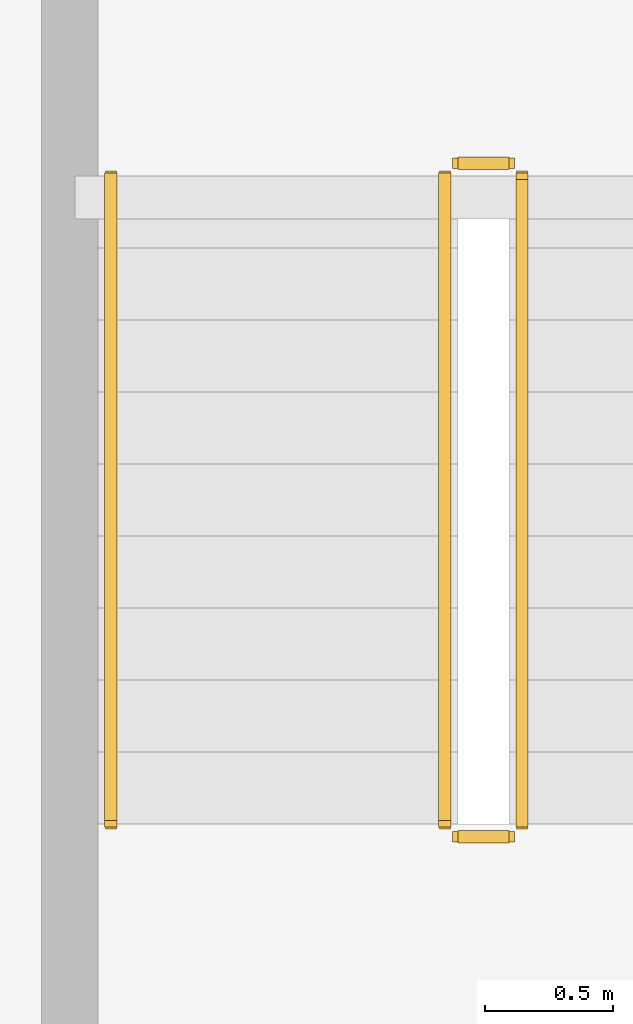
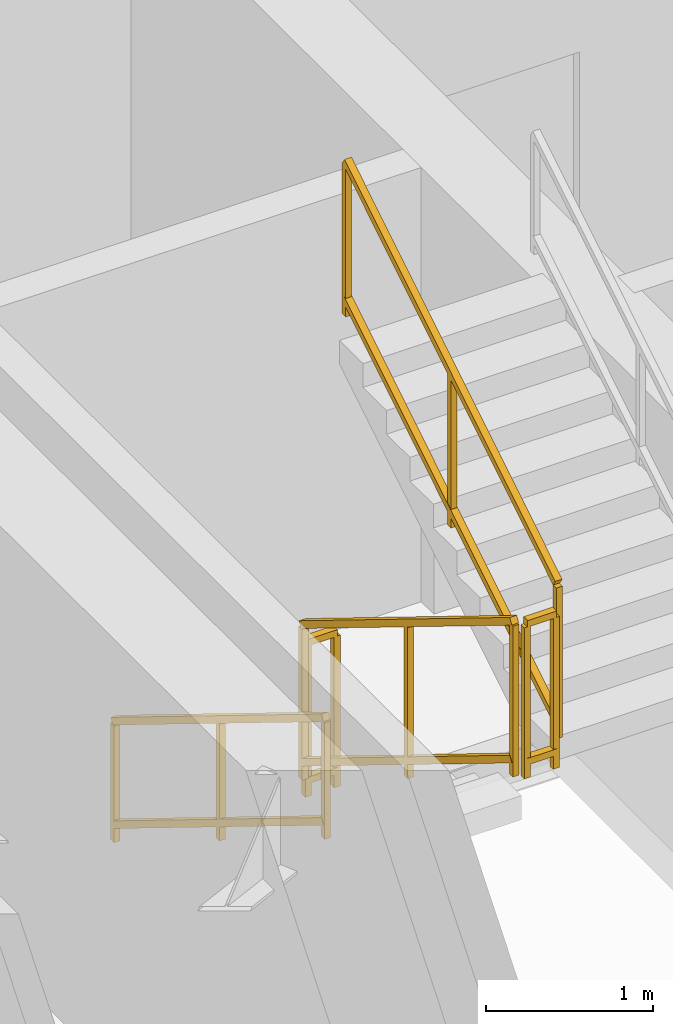
# One storey, part 28 of 30: 5 railings.
"""IFC4 building model written with IfcOpenShell, lengths in metres."""

from ifc_helpers import new_model, si_unit, direction, frame, origin, origin_2d, place, context, subcontext, project, spatial, rectangle, extrude, material, type_object, element, save


model = new_model("IFC4")

# Units and contexts
model_context = context("Model", 3, precision=1e-05, world=origin(), true_north=direction((0.0, 1.0)))
body_context = subcontext(model_context, "Body", "Model", "MODEL_VIEW")
ifc_project = project(units=[si_unit("LENGTHUNIT", "METRE"), si_unit("AREAUNIT", "SQUARE_METRE"), si_unit("VOLUMEUNIT", "CUBIC_METRE"), si_unit("PLANEANGLEUNIT", "RADIAN"), si_unit("MASSUNIT", "GRAM", prefix="KILO")], contexts=[model_context])

# Site, building, storey
site_placement = place(None, origin())
site = spatial("IfcSite", under=ifc_project, at=site_placement, CompositionType="ELEMENT")
building_placement = place(site_placement, origin())
building = spatial("IfcBuilding", under=site, at=building_placement, Name="Qarnah Convention Tower", CompositionType="ELEMENT")
storey_placement = place(building_placement, frame((0.0, 0.0, 93.60009765625)))
storey = spatial("IfcBuildingStorey", under=building, at=storey_placement, Name="L24", CompositionType="ELEMENT", Elevation=93.60009765625)

# Railings
ifc_material = material(Name="Structural steel S355JR", Category="steel")
railing_type_1 = type_object("IfcRailingType", Name="RL-STAIR-GUARD-1150", PredefinedType="GUARDRAIL", material=ifc_material)
railing_1_placement = place(storey_placement, frame((28.89990234375, 25.300048828125, 0.17236328125)))
element("IfcRailing", 1, at=railing_1_placement, inside=storey, type_object=railing_type_1, Name="L24 ST-1 stair guard 1", PredefinedType="GUARDRAIL", context=body_context, shape_type="SweptSolid", body=[
    extrude(rectangle(XDim=0.048095703125, YDim=0.048095703125, at=origin_2d()), frame((0.0, 0.0, 1.1259765625), z_axis=(0.0, -0.851400495292, 0.524516154772), x_axis=(1.0, 0.0, 0.0)), (0.0, 0.0, 1.0), 2.9599609375),
    extrude(rectangle(XDim=0.048095703125, YDim=0.048095703125, at=origin_2d()), frame((0.0, 0.0, 0.1201171875), z_axis=(0.0, -0.851400495292, 0.524516154772), x_axis=(1.0, 0.0, 0.0)), (0.0, 0.0, 1.0), 2.9599609375),
    extrude(rectangle(XDim=0.0419921875, YDim=0.0419921875, at=origin_2d()), origin(), (0.0, 0.0, 1.0), 1.101806640625),
    extrude(rectangle(XDim=0.0419921875, YDim=0.0419921875, at=origin_2d()), frame((0.0, -1.260009765625, 0.7763671875)), (0.0, 0.0, 1.0), 1.101806640625),
    extrude(rectangle(XDim=0.0419921875, YDim=0.0419921875, at=origin_2d()), frame((0.0, -2.52001953125, 1.552490234375)), (0.0, 0.0, 1.0), 1.101806640625),
])
railing_2_placement = place(storey_placement, frame((28.949951171875, 22.72998046875, 1.724853515625)))
element("IfcRailing", 2, at=railing_2_placement, inside=storey, type_object=railing_type_1, Name="L24 ST-1 stair guard 2", PredefinedType="GUARDRAIL", context=body_context, shape_type="SweptSolid", body=[
    extrude(rectangle(XDim=0.048095703125, YDim=0.048095703125, at=origin_2d()), frame((0.0, 0.0, 1.1259765625), z_axis=(1.0, 0.0, 0.0), x_axis=(0.0, 1.0, 0.0)), (0.0, 0.0, 1.0), 0.199951171875),
    extrude(rectangle(XDim=0.048095703125, YDim=0.048095703125, at=origin_2d()), frame((0.0, 0.0, 0.1201171875), z_axis=(1.0, 0.0, 0.0), x_axis=(0.0, 1.0, 0.0)), (0.0, 0.0, 1.0), 0.199951171875),
    extrude(rectangle(XDim=0.0419921875, YDim=0.0419921875, at=origin_2d()), origin(), (0.0, 0.0, 1.0), 1.101806640625),
    extrude(rectangle(XDim=0.0419921875, YDim=0.0419921875, at=origin_2d()), frame((0.199951171875, 0.0, 0.0)), (0.0, 0.0, 1.0), 1.101806640625),
])
railing_3_placement = place(storey_placement, frame((29.199951171875, 22.780029296875, 1.8974609375)))
element("IfcRailing", 3, at=railing_3_placement, inside=storey, type_object=railing_type_1, Name="L24 ST-1 stair guard 3", PredefinedType="GUARDRAIL", context=body_context, shape_type="SweptSolid", body=[
    extrude(rectangle(XDim=0.048095703125, YDim=0.048095703125, at=origin_2d()), frame((0.0, 0.0, 1.1259765625), z_axis=(0.0, 0.851400495292, 0.524516154772), x_axis=(-1.0, 0.0, 0.0)), (0.0, 0.0, 1.0), 2.9599609375),
    extrude(rectangle(XDim=0.048095703125, YDim=0.048095703125, at=origin_2d()), frame((0.0, 0.0, 0.1201171875), z_axis=(0.0, 0.851400495292, 0.524516154772), x_axis=(-1.0, 0.0, 0.0)), (0.0, 0.0, 1.0), 2.9599609375),
    extrude(rectangle(XDim=0.0419921875, YDim=0.0419921875, at=origin_2d()), origin(), (0.0, 0.0, 1.0), 1.101806640625),
    extrude(rectangle(XDim=0.0419921875, YDim=0.0419921875, at=origin_2d()), frame((0.0, 1.260009765625, 0.7763671875)), (0.0, 0.0, 1.0), 1.101806640625),
    extrude(rectangle(XDim=0.0419921875, YDim=0.0419921875, at=origin_2d()), frame((0.0, 2.52001953125, 1.552490234375)), (0.0, 0.0, 1.0), 1.101806640625),
])
railing_4_placement = place(storey_placement, frame((28.949951171875, 25.35009765625, 0.0)))
element("IfcRailing", 4, at=railing_4_placement, inside=storey, type_object=railing_type_1, Name="L24 ST-1 stair guard 4", PredefinedType="GUARDRAIL", context=body_context, shape_type="SweptSolid", body=[
    extrude(rectangle(XDim=0.048095703125, YDim=0.048095703125, at=origin_2d()), frame((0.0, 0.0, 1.1259765625), z_axis=(1.0, 0.0, 0.0), x_axis=(0.0, 1.0, 0.0)), (0.0, 0.0, 1.0), 0.199951171875),
    extrude(rectangle(XDim=0.048095703125, YDim=0.048095703125, at=origin_2d()), frame((0.0, 0.0, 0.1201171875), z_axis=(1.0, 0.0, 0.0), x_axis=(0.0, 1.0, 0.0)), (0.0, 0.0, 1.0), 0.199951171875),
    extrude(rectangle(XDim=0.0419921875, YDim=0.0419921875, at=origin_2d()), origin(), (0.0, 0.0, 1.0), 1.101806640625),
    extrude(rectangle(XDim=0.0419921875, YDim=0.0419921875, at=origin_2d()), frame((0.199951171875, 0.0, 0.0)), (0.0, 0.0, 1.0), 1.101806640625),
])
railing_type_2 = type_object("IfcRailingType", Name="RL-STAIR-HAND-900", PredefinedType="HANDRAIL", material=ifc_material)
railing_5_placement = place(storey_placement, frame((27.60009765625, 25.300048828125, 0.17236328125)))
element("IfcRailing", 5, at=railing_5_placement, inside=storey, type_object=railing_type_2, Name="L24 ST-1 stair handrail 1", PredefinedType="HANDRAIL", context=body_context, shape_type="SweptSolid", body=[
    extrude(rectangle(XDim=0.048095703125, YDim=0.048095703125, at=origin_2d()), frame((0.0, 0.0, 0.8759765625), z_axis=(0.0, -0.851400495292, 0.524516154772), x_axis=(1.0, 0.0, 0.0)), (0.0, 0.0, 1.0), 2.9599609375),
    extrude(rectangle(XDim=0.048095703125, YDim=0.048095703125, at=origin_2d()), frame((0.0, 0.0, 0.1201171875), z_axis=(0.0, -0.851400495292, 0.524516154772), x_axis=(1.0, 0.0, 0.0)), (0.0, 0.0, 1.0), 2.9599609375),
    extrude(rectangle(XDim=0.0419921875, YDim=0.0419921875, at=origin_2d()), origin(), (0.0, 0.0, 1.0), 0.851806640625),
    extrude(rectangle(XDim=0.0419921875, YDim=0.0419921875, at=origin_2d()), frame((0.0, -1.260009765625, 0.7763671875)), (0.0, 0.0, 1.0), 0.851806640625),
    extrude(rectangle(XDim=0.0419921875, YDim=0.0419921875, at=origin_2d()), frame((0.0, -2.52001953125, 1.552490234375)), (0.0, 0.0, 1.0), 0.851806640625),
])

save(model, "model.ifc")
